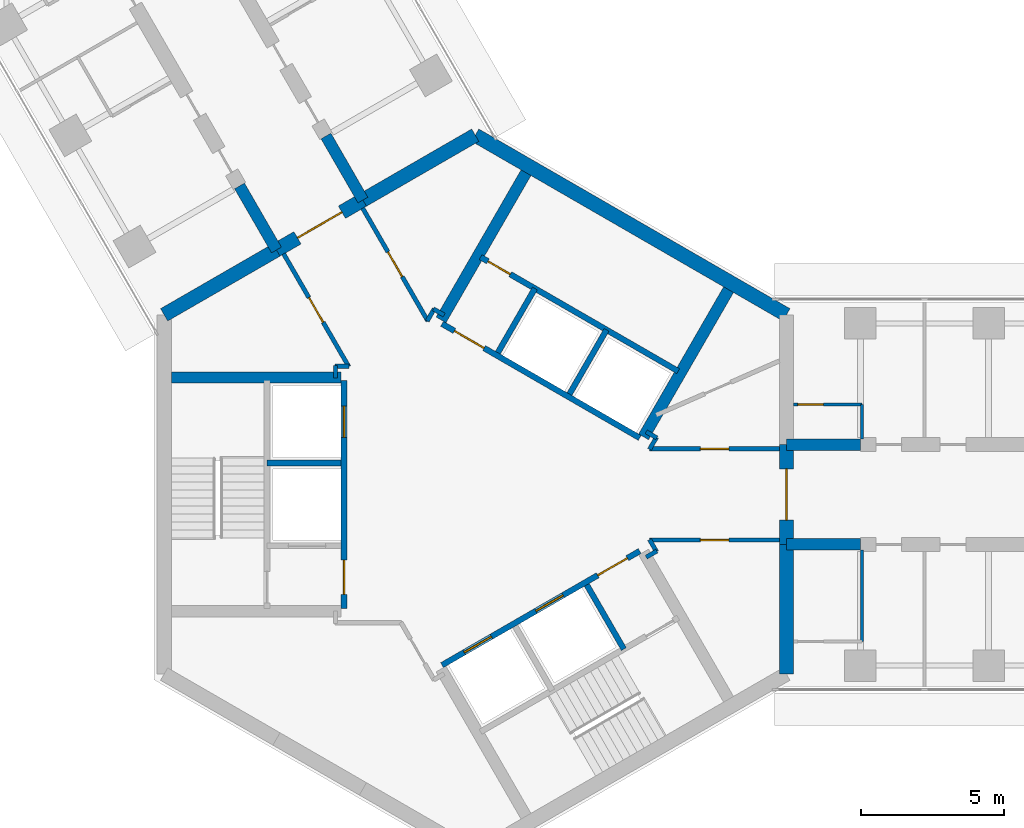
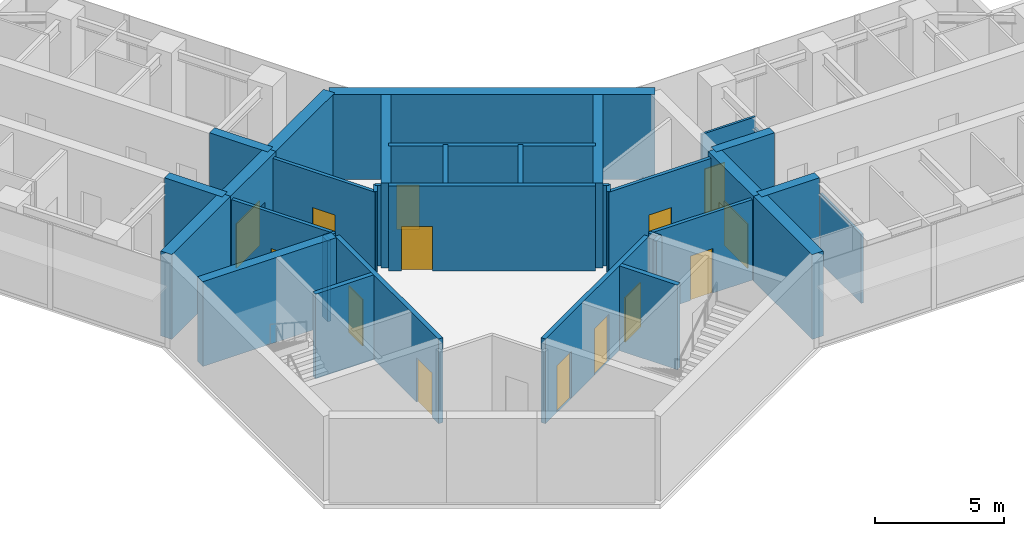
# One storey, part 12 of 18: 36 walls, 14 doors, 14 openings.
"""IFC4 building model written with IfcOpenShell, lengths in metres."""

from ifc_helpers import new_model, si_unit, direction, frame, frame_2d, origin, place, context, subcontext, project, spatial, rectangle, extrude, material, layer, layer_set, type_object, element, fill, save


model = new_model("IFC4")

# Units and contexts
model_context = context("Model", 3, precision=1e-05, world=origin(), true_north=direction((0.0, 1.0)))
body_context = subcontext(model_context, "Body", "Model", "MODEL_VIEW")
ifc_project = project(units=[si_unit("LENGTHUNIT", "METRE"), si_unit("AREAUNIT", "SQUARE_METRE"), si_unit("VOLUMEUNIT", "CUBIC_METRE"), si_unit("PLANEANGLEUNIT", "RADIAN"), si_unit("MASSUNIT", "GRAM", prefix="KILO")], contexts=[model_context])

# Site, building, storey
site_placement = place(None, origin())
site = spatial("IfcSite", under=ifc_project, at=site_placement, CompositionType="ELEMENT")
building_placement = place(site_placement, origin())
building = spatial("IfcBuilding", under=site, at=building_placement, Name="Upepo Twin Towers", CompositionType="ELEMENT")
storey_placement = place(building_placement, frame((0.0, 0.0, 226.5)))
storey = spatial("IfcBuildingStorey", under=building, at=storey_placement, Name="L55", CompositionType="ELEMENT", Elevation=226.5)

# Walls
ifc_material_1 = material(Name="Concrete C60/75", Category="concrete")
ifc_layer_1 = layer(ifc_material_1, 0.39990234375)
ifc_layer_set_1 = layer_set([ifc_layer_1], Name="Concrete C60/75")
wall_type_1 = type_object("IfcWallType", Name="Buttress wall 400 RC", PredefinedType="SHEAR", material=ifc_layer_set_1)
for number, where, z_axis, x_axis, name in (
    (1, (10.908447265625, 1.75, 0.0), (0.0, 0.0, 1.0), (1.0, 0.0, 0.0), "T1 wing A buttress wall L"),
    (2, (10.908447265625, -1.75, 0.0), (0.0, 0.0, 1.0), (1.0, 0.0, 0.0), "T1 wing A buttress wall R"),
):
    element("IfcWall", number, at=place(storey_placement, frame(where, z_axis=z_axis, x_axis=x_axis)), inside=storey, type_object=wall_type_1, Name=name, PredefinedType="SHEAR", context=body_context, shape_type="SweptSolid", body=[
        extrude(rectangle(XDim=2.591552734375, YDim=0.39990234375, at=frame_2d((1.2958984375, 0.0))), origin(), (0.0, 0.0, 1.0), 4.0),
    ])
for number, where, z_axis, x_axis, name in (
    (3, (-6.9697265625, 8.57177734375, 0.0), (0.0, 0.0, 1.0), (-0.499988811324, 0.866031863473, 0.0), "T1 wing B buttress wall L"),
    (4, (-3.938720703125, 10.32177734375, 0.0), (0.0, 0.0, 1.0), (-0.499918158782, 0.866072649678, 0.0), "T1 wing B buttress wall R"),
):
    element("IfcWall", number, at=place(storey_placement, frame(where, z_axis=z_axis, x_axis=x_axis)), inside=storey, type_object=wall_type_1, Name=name, PredefinedType="SHEAR", context=body_context, shape_type="SweptSolid", body=[
        extrude(rectangle(XDim=2.591796875, YDim=0.39990234375, at=frame_2d((1.2958984375, 0.0))), origin(), (0.0, 0.0, 1.0), 4.0),
    ])
ifc_material_2 = material(Name="Concrete C60/75", Category="concrete")
ifc_layer_2 = layer(ifc_material_2, 0.5)
ifc_layer_set_2 = layer_set([ifc_layer_2], Name="Concrete C60/75")
wall_type_2 = type_object("IfcWallType", Name="Core wall 500 RC", PredefinedType="SHEAR", material=ifc_layer_set_2)
wall_1_placement = place(storey_placement, frame((10.908447265625, -6.2978515625, 0.0), z_axis=(0.0, 0.0, 1.0), x_axis=(0.0, 1.0, 0.0)))
element("IfcWall", 5, at=wall_1_placement, inside=storey, type_object=wall_type_2, Name="T1 core wall 000 R", PredefinedType="SHEAR", context=body_context, shape_type="SweptSolid", body=[
    extrude(rectangle(XDim=4.5478515625, YDim=0.5, at=frame_2d((2.27392578125, 0.0))), origin(), (0.0, 0.0, 1.0), 4.0),
])

# Wall, opening, door
wall_2_placement = place(storey_placement, frame((10.908447265625, -1.75, 0.0), z_axis=(0.0, 0.0, 1.0), x_axis=(0.0, 1.0, 0.0)))
wall_2 = element("IfcWall", 6, at=wall_2_placement, inside=storey, type_object=wall_type_2, Name="T1 core wall 000", PredefinedType="SHEAR", context=body_context, shape_type="SweptSolid", body=[
    extrude(rectangle(XDim=3.5, YDim=0.5, at=frame_2d((1.75, 0.0))), origin(), (0.0, 0.0, 1.0), 4.0),
])
opening_1_placement = place(wall_2_placement, frame((0.85009765625, 0.0, 0.0)))
opening_1 = element("IfcOpeningElement", 7, at=opening_1_placement, cuts=wall_2, Name="Opening D2", PredefinedType="OPENING", context=body_context, shape_type="SweptSolid", body=[
    extrude(rectangle(XDim=1.800048828125, YDim=2.10009765625, at=frame_2d((0.89990234375, 1.050048828125))), frame((0.0, 0.260009765625, 0.0), z_axis=(0.0, -1.0, 0.0), x_axis=(1.0, 0.0, 0.0)), (0.0, 0.0, 1.0), 0.52001953125),
])
ifc_material_3 = material(Name="Timber doorset", Category="wood")
door_type_1 = type_object("IfcDoorType", Name="Corridor double door 1800 FD60", OperationType="DOUBLE_DOOR_DOUBLE_SWING", PredefinedType="DOOR", material=ifc_material_3)
door_1_placement = place(opening_1_placement, origin())
door_1 = element("IfcDoor", 8, at=door_1_placement, inside=storey, type_object=door_type_1, Name="T1 L55 wing A corridor door", OperationType="DOUBLE_DOOR_DOUBLE_SWING", OverallHeight=2.10009765625, OverallWidth=1.800048828125, PredefinedType="DOOR", context=body_context, shape_type="SweptSolid", body=[
    extrude(rectangle(XDim=1.800048828125, YDim=2.10009765625, at=frame_2d((0.89990234375, 1.050048828125))), frame((0.0, 0.02490234375, 0.0), z_axis=(0.0, -1.0, 0.0), x_axis=(1.0, 0.0, 0.0)), (0.0, 0.0, 1.0), 0.050048828125),
])
fill(opening_1, door_1)

# Walls
wall_3_placement = place(storey_placement, frame((10.908447265625, 6.2978515625, 0.0), z_axis=(0.0, 0.0, 1.0), x_axis=(-0.866021940709, 0.500005998175, 0.0)))
element("IfcWall", 9, at=wall_3_placement, inside=storey, type_object=wall_type_2, Name="T1 core wall 060", PredefinedType="SHEAR", context=body_context, shape_type="SweptSolid", body=[
    extrude(rectangle(XDim=12.595947265625, YDim=0.5, at=frame_2d((6.2978515625, 0.0))), origin(), (0.0, 0.0, 1.0), 4.0),
])
wall_4_placement = place(storey_placement, frame((0.0, 12.595947265625, 0.0), z_axis=(0.0, 0.0, 1.0), x_axis=(-0.866011268655, -0.500024481964, 0.0)))
element("IfcWall", 10, at=wall_4_placement, inside=storey, type_object=wall_type_2, Name="T1 core wall 120 R", PredefinedType="SHEAR", context=body_context, shape_type="SweptSolid", body=[
    extrude(rectangle(XDim=4.548095703125, YDim=0.5, at=frame_2d((2.27392578125, 0.0))), origin(), (0.0, 0.0, 1.0), 4.0),
])

# Wall, opening, door
wall_5_placement = place(storey_placement, frame((-3.938720703125, 10.32177734375, 0.0), z_axis=(0.0, 0.0, 1.0), x_axis=(-0.866019471182, -0.500010275428, 0.0)))
wall_5 = element("IfcWall", 11, at=wall_5_placement, inside=storey, type_object=wall_type_2, Name="T1 core wall 120", PredefinedType="SHEAR", context=body_context, shape_type="SweptSolid", body=[
    extrude(rectangle(XDim=3.5, YDim=0.5, at=frame_2d((1.75, 0.0))), origin(), (0.0, 0.0, 1.0), 4.0),
])
opening_2_placement = place(wall_5_placement, frame((0.85009765625, 0.0, 0.0)))
opening_2 = element("IfcOpeningElement", 12, at=opening_2_placement, cuts=wall_5, Name="Opening D2", PredefinedType="OPENING", context=body_context, shape_type="SweptSolid", body=[
    extrude(rectangle(XDim=1.800048828125, YDim=2.10009765625, at=frame_2d((0.89990234375, 1.050048828125))), frame((0.0, 0.260009765625, 0.0), z_axis=(0.0, -1.0, 0.0), x_axis=(1.0, 0.0, 0.0)), (0.0, 0.0, 1.0), 0.52001953125),
])
door_2_placement = place(opening_2_placement, origin())
door_2 = element("IfcDoor", 13, at=door_2_placement, inside=storey, type_object=door_type_1, Name="T1 L55 wing B corridor door", OperationType="DOUBLE_DOOR_DOUBLE_SWING", OverallHeight=2.10009765625, OverallWidth=1.800048828125, PredefinedType="DOOR", context=body_context, shape_type="SweptSolid", body=[
    extrude(rectangle(XDim=1.800048828125, YDim=2.10009765625, at=frame_2d((0.89990234375, 1.050048828125))), frame((0.0, 0.02490234375, 0.0), z_axis=(0.0, -1.0, 0.0), x_axis=(1.0, 0.0, 0.0)), (0.0, 0.0, 1.0), 0.050048828125),
])
fill(opening_2, door_2)

# Wall
wall_6_placement = place(storey_placement, frame((-6.9697265625, 8.57177734375, 0.0), z_axis=(0.0, 0.0, 1.0), x_axis=(-0.866034513004, -0.499984222037, 0.0)))
element("IfcWall", 14, at=wall_6_placement, inside=storey, type_object=wall_type_2, Name="T1 core wall 120 L", PredefinedType="SHEAR", context=body_context, shape_type="SweptSolid", body=[
    extrude(rectangle(XDim=4.548095703125, YDim=0.5, at=frame_2d((2.27392578125, 0.0))), origin(), (0.0, 0.0, 1.0), 4.0),
])

# Wall, opening, door
ifc_material_4 = material(Name="Gypsum board on steel studs", Category="steel")
ifc_layer_3 = layer(ifc_material_4, 0.10009765625)
ifc_layer_set_3 = layer_set([ifc_layer_3], Name="Office partition 100 stud")
wall_type_3 = type_object("IfcWallType", Name="Office partition 100 stud", PredefinedType="PARTITIONING", material=ifc_layer_set_3)
wall_7_placement = place(storey_placement, frame((11.157958984375, 3.14990234375, 0.0), z_axis=(0.0, 0.0, 1.0), x_axis=(1.0, 0.0, 0.0)))
wall_7 = element("IfcWall", 15, at=wall_7_placement, inside=storey, type_object=wall_type_3, Name="T1 WC bay partition AL at 11.16", PredefinedType="PARTITIONING", context=body_context, shape_type="SweptSolid", body=[
    extrude(rectangle(XDim=2.400146484375, YDim=0.10009765625, at=frame_2d((1.2001953125, 0.0))), origin(), (0.0, 0.0, 1.0), 3.800048828125),
])
opening_3_placement = place(wall_7_placement, frame((0.14990234375, 0.0, 0.0)))
opening_3 = element("IfcOpeningElement", 16, at=opening_3_placement, cuts=wall_7, Name="Opening D14", PredefinedType="OPENING", context=body_context, shape_type="SweptSolid", body=[
    extrude(rectangle(XDim=0.89990234375, YDim=2.10009765625, at=frame_2d((0.449951171875, 1.050048828125))), frame((0.0, 0.06005859375, 0.0), z_axis=(0.0, -1.0, 0.0), x_axis=(1.0, 0.0, 0.0)), (0.0, 0.0, 1.0), 0.1201171875),
])
ifc_material_5 = material(Name="Timber doorset", Category="wood")
door_type_2 = type_object("IfcDoorType", Name="Office door 900 FD30", OperationType="SINGLE_SWING_LEFT", PredefinedType="DOOR", material=ifc_material_5)
door_3_placement = place(opening_3_placement, origin())
door_3 = element("IfcDoor", 17, at=door_3_placement, inside=storey, type_object=door_type_2, Name="T1 L55 WC bay inner room door", OperationType="SINGLE_SWING_LEFT", OverallHeight=2.10009765625, OverallWidth=0.89990234375, PredefinedType="DOOR", context=body_context, shape_type="SweptSolid", body=[
    extrude(rectangle(XDim=0.89990234375, YDim=2.10009765625, at=frame_2d((0.449951171875, 1.050048828125))), frame((0.0, 0.02490234375, 0.0), z_axis=(0.0, -1.0, 0.0), x_axis=(1.0, 0.0, 0.0)), (0.0, 0.0, 1.0), 0.050048828125),
])
fill(opening_3, door_3)

# Walls
wall_8_placement = place(storey_placement, frame((13.55810546875, 1.949951171875, 0.0), z_axis=(0.0, 0.0, 1.0), x_axis=(0.0, 1.0, 0.0)))
element("IfcWall", 18, at=wall_8_placement, inside=storey, type_object=wall_type_3, Name="T1 WC bay partition AL end at 13.56", PredefinedType="PARTITIONING", context=body_context, shape_type="SweptSolid", body=[
    extrude(rectangle(XDim=1.199951171875, YDim=0.10009765625, at=frame_2d((0.60009765625, 0.0))), origin(), (0.0, 0.0, 1.0), 3.266845703125),
])
wall_9_placement = place(storey_placement, frame((13.55810546875, -1.949951171875, 0.0), z_axis=(0.0, 0.0, 1.0), x_axis=(0.0, -1.0, 0.0)))
element("IfcWall", 19, at=wall_9_placement, inside=storey, type_object=wall_type_3, Name="T1 WC bay partition AR end at 13.56", PredefinedType="PARTITIONING", context=body_context, shape_type="SweptSolid", body=[
    extrude(rectangle(XDim=3.199951171875, YDim=0.10009765625, at=frame_2d((1.60009765625, 0.0))), origin(), (0.0, 0.0, 1.0), 3.266845703125),
])

# Wall, opening, door
ifc_material_6 = material(Name="Concrete C40/50", Category="concrete")
ifc_layer_4 = layer(ifc_material_6, 0.199951171875)
ifc_layer_set_4 = layer_set([ifc_layer_4], Name="Concrete C40/50")
wall_type_4 = type_object("IfcWallType", Name="Shaft wall 200 RC", PredefinedType="SHEAR", material=ifc_layer_set_4)
wall_10_placement = place(storey_placement, frame((5.76416015625, 1.983642578125, 0.0), z_axis=(0.0, 0.0, 1.0), x_axis=(-0.866026010844, 0.49999894854, 0.0)))
wall_10 = element("IfcWall", 20, at=wall_10_placement, inside=storey, type_object=wall_type_4, Name="T1 core W60 front wall", PredefinedType="SHEAR", context=body_context, shape_type="SweptSolid", body=[
    extrude(rectangle(XDim=8.0, YDim=0.199951171875, at=frame_2d((4.0, 0.0))), origin(), (0.0, 0.0, 1.0), 4.0),
])
opening_4_placement = place(wall_10_placement, frame((6.300048828125, 0.0, 0.0)))
opening_4 = element("IfcOpeningElement", 21, at=opening_4_placement, cuts=wall_10, Name="Opening D4", PredefinedType="OPENING", context=body_context, shape_type="SweptSolid", body=[
    extrude(rectangle(XDim=1.199951171875, YDim=2.10009765625, at=frame_2d((0.60009765625, 1.050048828125))), frame((0.0, 0.10986328125, 0.0), z_axis=(0.0, -1.0, 0.0), x_axis=(1.0, 0.0, 0.0)), (0.0, 0.0, 1.0), 0.219970703125),
])
ifc_material_7 = material(Name="Timber doorset", Category="wood")
door_type_3 = type_object("IfcDoorType", Name="Lobby door 1200 FD60", OperationType="SINGLE_SWING_LEFT", PredefinedType="DOOR", material=ifc_material_7)
door_4_placement = place(opening_4_placement, origin())
door_4 = element("IfcDoor", 22, at=door_4_placement, inside=storey, type_object=door_type_3, Name="T1 L55 W60 lobby door", OperationType="SINGLE_SWING_RIGHT", OverallHeight=2.10009765625, OverallWidth=1.199951171875, PredefinedType="DOOR", context=body_context, shape_type="SweptSolid", body=[
    extrude(rectangle(XDim=1.199951171875, YDim=2.10009765625, at=frame_2d((0.60009765625, 1.050048828125))), frame((0.0, 0.02490234375, 0.0), z_axis=(0.0, -1.0, 0.0), x_axis=(1.0, 0.0, 0.0)), (0.0, 0.0, 1.0), 0.050048828125),
])
fill(opening_4, door_4)

# Walls
for number, where, z_axis, x_axis, name in (
    (23, (3.302734375, 3.520263671875, 0.0), (0.0, 0.0, 1.0), (0.499936506574, 0.866062058628, 0.0), "T1 core W60 shaft divider"),
    (24, (0.791259765625, 4.97021484375, 0.0), (0.0, 0.0, 1.0), (0.499936506574, 0.866062058628, 0.0), "T1 core W60 lobby wall"),
):
    element("IfcWall", number, at=place(storey_placement, frame(where, z_axis=z_axis, x_axis=x_axis)), inside=storey, type_object=wall_type_4, Name=name, PredefinedType="SHEAR", context=body_context, shape_type="SweptSolid", body=[
        extrude(rectangle(XDim=2.599853515625, YDim=0.199951171875, at=frame_2d((1.2998046875, 0.0))), origin(), (0.0, 0.0, 1.0), 4.0),
    ])

# Wall, opening, door
wall_11_placement = place(storey_placement, frame((7.114013671875, 4.322021484375, 0.0), z_axis=(0.0, 0.0, 1.0), x_axis=(-0.866026010844, 0.49999894854, 0.0)))
wall_11 = element("IfcWall", 25, at=wall_11_placement, inside=storey, type_object=wall_type_4, Name="T1 core W60 stair wall", PredefinedType="SHEAR", context=body_context, shape_type="SweptSolid", body=[
    extrude(rectangle(XDim=8.0, YDim=0.199951171875, at=frame_2d((4.0, 0.0))), origin(), (0.0, 0.0, 1.0), 4.0),
])
opening_5_placement = place(wall_11_placement, frame((6.800048828125, 0.0, 0.0)))
opening_5 = element("IfcOpeningElement", 26, at=opening_5_placement, cuts=wall_11, Name="Opening D9", PredefinedType="OPENING", context=body_context, shape_type="SweptSolid", body=[
    extrude(rectangle(XDim=0.89990234375, YDim=2.10009765625, at=frame_2d((0.449951171875, 1.050048828125))), frame((0.0, 0.10986328125, 0.0), z_axis=(0.0, -1.0, 0.0), x_axis=(1.0, 0.0, 0.0)), (0.0, 0.0, 1.0), 0.219970703125),
])
ifc_material_8 = material(Name="Timber doorset", Category="wood")
door_type_4 = type_object("IfcDoorType", Name="Riser door 900 FD60", OperationType="SINGLE_SWING_LEFT", PredefinedType="DOOR", material=ifc_material_8)
door_5_placement = place(opening_5_placement, origin())
door_5 = element("IfcDoor", 27, at=door_5_placement, inside=storey, type_object=door_type_4, Name="T1 L55 riser door", OperationType="SINGLE_SWING_RIGHT", OverallHeight=2.10009765625, OverallWidth=0.89990234375, PredefinedType="DOOR", context=body_context, shape_type="SweptSolid", body=[
    extrude(rectangle(XDim=0.89990234375, YDim=2.10009765625, at=frame_2d((0.449951171875, 1.050048828125))), frame((0.0, 0.02490234375, 0.0), z_axis=(0.0, -1.0, 0.0), x_axis=(1.0, 0.0, 0.0)), (0.0, 0.0, 1.0), 0.050048828125),
])
fill(opening_5, door_5)

# Wall, openings, doors
wall_12_placement = place(storey_placement, frame((-4.60009765625, 4.0, 0.0), z_axis=(0.0, 0.0, 1.0), x_axis=(0.0, -1.0, 0.0)))
wall_12 = element("IfcWall", 28, at=wall_12_placement, inside=storey, type_object=wall_type_4, Name="T1 core W180 front wall", PredefinedType="SHEAR", context=body_context, shape_type="SweptSolid", body=[
    extrude(rectangle(XDim=8.0, YDim=0.199951171875, at=frame_2d((4.0, 0.0))), origin(), (0.0, 0.0, 1.0), 4.0),
])
opening_6_placement = place(wall_12_placement, frame((6.300048828125, 0.0, 0.0)))
opening_6 = element("IfcOpeningElement", 29, at=opening_6_placement, cuts=wall_12, Name="Opening D4", PredefinedType="OPENING", context=body_context, shape_type="SweptSolid", body=[
    extrude(rectangle(XDim=1.199951171875, YDim=2.10009765625, at=frame_2d((0.60009765625, 1.050048828125))), frame((0.0, 0.10986328125, 0.0), z_axis=(0.0, -1.0, 0.0), x_axis=(1.0, 0.0, 0.0)), (0.0, 0.0, 1.0), 0.219970703125),
])
opening_7_placement = place(wall_12_placement, frame((0.89990234375, 0.0, 0.0)))
opening_7 = element("IfcOpeningElement", 30, at=opening_7_placement, cuts=wall_12, Name="Opening LD1", PredefinedType="OPENING", context=body_context, shape_type="SweptSolid", body=[
    extrude(rectangle(XDim=1.10009765625, YDim=2.199951171875, at=frame_2d((0.550048828125, 1.10009765625))), frame((0.0, 0.10986328125, 0.0), z_axis=(0.0, -1.0, 0.0), x_axis=(1.0, 0.0, 0.0)), (0.0, 0.0, 1.0), 0.219970703125),
])
ifc_material_9 = material(Name="Steel doorset", Category="steel")
door_type_5 = type_object("IfcDoorType", Name="Lift landing door 1100", OperationType="DOUBLE_DOOR_SLIDING", PredefinedType="DOOR", material=ifc_material_9)
door_6_placement = place(opening_7_placement, origin())
door_6 = element("IfcDoor", 31, at=door_6_placement, inside=storey, type_object=door_type_5, Name="T1 L55 lift SV1 landing door", OperationType="DOUBLE_DOOR_SLIDING", OverallHeight=2.199951171875, OverallWidth=1.10009765625, PredefinedType="DOOR", context=body_context, shape_type="SweptSolid", body=[
    extrude(rectangle(XDim=1.10009765625, YDim=2.199951171875, at=frame_2d((0.550048828125, 1.10009765625))), frame((0.0, 0.02490234375, 0.0), z_axis=(0.0, -1.0, 0.0), x_axis=(1.0, 0.0, 0.0)), (0.0, 0.0, 1.0), 0.050048828125),
])
fill(opening_7, door_6)
door_7_placement = place(opening_6_placement, origin())
door_7 = element("IfcDoor", 32, at=door_7_placement, inside=storey, type_object=door_type_3, Name="T1 L55 W180 lobby door", OperationType="SINGLE_SWING_RIGHT", OverallHeight=2.10009765625, OverallWidth=1.199951171875, PredefinedType="DOOR", context=body_context, shape_type="SweptSolid", body=[
    extrude(rectangle(XDim=1.199951171875, YDim=2.10009765625, at=frame_2d((0.60009765625, 1.050048828125))), frame((0.0, 0.02490234375, 0.0), z_axis=(0.0, -1.0, 0.0), x_axis=(1.0, 0.0, 0.0)), (0.0, 0.0, 1.0), 0.050048828125),
])
fill(opening_6, door_7)

# Wall
wall_13_placement = place(storey_placement, frame((-4.699951171875, 1.10009765625, 0.0), z_axis=(0.0, 0.0, 1.0), x_axis=(-1.0, 0.0, 0.0)))
element("IfcWall", 33, at=wall_13_placement, inside=storey, type_object=wall_type_4, Name="T1 core W180 shaft divider", PredefinedType="SHEAR", context=body_context, shape_type="SweptSolid", body=[
    extrude(rectangle(XDim=2.60009765625, YDim=0.199951171875, at=frame_2d((1.300048828125, 0.0))), origin(), (0.0, 0.0, 1.0), 4.0),
])

# Wall, openings, doors
wall_14_placement = place(storey_placement, frame((-1.1640625, -5.983642578125, 0.0), z_axis=(0.0, 0.0, 1.0), x_axis=(0.866026010844, 0.49999894854, 0.0)))
wall_14 = element("IfcWall", 34, at=wall_14_placement, inside=storey, type_object=wall_type_4, Name="T1 core W300 front wall", PredefinedType="SHEAR", context=body_context, shape_type="SweptSolid", body=[
    extrude(rectangle(XDim=8.0, YDim=0.199951171875, at=frame_2d((4.0, 0.0))), origin(), (0.0, 0.0, 1.0), 4.0),
])
opening_8_placement = place(wall_14_placement, frame((6.300048828125, 0.0, 0.0)))
opening_8 = element("IfcOpeningElement", 35, at=opening_8_placement, cuts=wall_14, Name="Opening D4", PredefinedType="OPENING", context=body_context, shape_type="SweptSolid", body=[
    extrude(rectangle(XDim=1.199951171875, YDim=2.10009765625, at=frame_2d((0.60009765625, 1.050048828125))), frame((0.0, 0.10986328125, 0.0), z_axis=(0.0, -1.0, 0.0), x_axis=(1.0, 0.0, 0.0)), (0.0, 0.0, 1.0), 0.219970703125),
])
opening_9_placement = place(wall_14_placement, frame((0.89990234375, 0.0, 0.0)))
opening_9 = element("IfcOpeningElement", 36, at=opening_9_placement, cuts=wall_14, Name="Opening LD1", PredefinedType="OPENING", context=body_context, shape_type="SweptSolid", body=[
    extrude(rectangle(XDim=1.10009765625, YDim=2.199951171875, at=frame_2d((0.550048828125, 1.10009765625))), frame((0.0, 0.10986328125, 0.0), z_axis=(0.0, -1.0, 0.0), x_axis=(1.0, 0.0, 0.0)), (0.0, 0.0, 1.0), 0.219970703125),
])
opening_10_placement = place(wall_14_placement, frame((3.800048828125, 0.0, 0.0)))
opening_10 = element("IfcOpeningElement", 37, at=opening_10_placement, cuts=wall_14, Name="Opening LD1", PredefinedType="OPENING", context=body_context, shape_type="SweptSolid", body=[
    extrude(rectangle(XDim=1.10009765625, YDim=2.199951171875, at=frame_2d((0.550048828125, 1.10009765625))), frame((0.0, 0.10986328125, 0.0), z_axis=(0.0, -1.0, 0.0), x_axis=(1.0, 0.0, 0.0)), (0.0, 0.0, 1.0), 0.219970703125),
])
door_8_placement = place(opening_9_placement, origin())
door_8 = element("IfcDoor", 38, at=door_8_placement, inside=storey, type_object=door_type_5, Name="T1 L55 lift UL1 landing door", OperationType="DOUBLE_DOOR_SLIDING", OverallHeight=2.199951171875, OverallWidth=1.10009765625, PredefinedType="DOOR", context=body_context, shape_type="SweptSolid", body=[
    extrude(rectangle(XDim=1.10009765625, YDim=2.199951171875, at=frame_2d((0.550048828125, 1.10009765625))), frame((0.0, 0.02490234375, 0.0), z_axis=(0.0, -1.0, 0.0), x_axis=(1.0, 0.0, 0.0)), (0.0, 0.0, 1.0), 0.050048828125),
])
fill(opening_9, door_8)
door_9_placement = place(opening_10_placement, origin())
door_9 = element("IfcDoor", 39, at=door_9_placement, inside=storey, type_object=door_type_5, Name="T1 L55 lift UL2 landing door", OperationType="DOUBLE_DOOR_SLIDING", OverallHeight=2.199951171875, OverallWidth=1.10009765625, PredefinedType="DOOR", context=body_context, shape_type="SweptSolid", body=[
    extrude(rectangle(XDim=1.10009765625, YDim=2.199951171875, at=frame_2d((0.550048828125, 1.10009765625))), frame((0.0, 0.02490234375, 0.0), z_axis=(0.0, -1.0, 0.0), x_axis=(1.0, 0.0, 0.0)), (0.0, 0.0, 1.0), 0.050048828125),
])
fill(opening_10, door_9)
door_10_placement = place(opening_8_placement, origin())
door_10 = element("IfcDoor", 40, at=door_10_placement, inside=storey, type_object=door_type_3, Name="T1 L55 W300 lobby door", OperationType="SINGLE_SWING_RIGHT", OverallHeight=2.10009765625, OverallWidth=1.199951171875, PredefinedType="DOOR", context=body_context, shape_type="SweptSolid", body=[
    extrude(rectangle(XDim=1.199951171875, YDim=2.10009765625, at=frame_2d((0.60009765625, 1.050048828125))), frame((0.0, 0.02490234375, 0.0), z_axis=(0.0, -1.0, 0.0), x_axis=(1.0, 0.0, 0.0)), (0.0, 0.0, 1.0), 0.050048828125),
])
fill(opening_8, door_10)

# Walls
wall_15_placement = place(storey_placement, frame((3.908935546875, -3.17041015625, 0.0), z_axis=(0.0, 0.0, 1.0), x_axis=(0.49997716683, -0.86603858612, 0.0)))
element("IfcWall", 41, at=wall_15_placement, inside=storey, type_object=wall_type_4, Name="T1 core W300 lobby wall", PredefinedType="SHEAR", context=body_context, shape_type="SweptSolid", body=[
    extrude(rectangle(XDim=2.599609375, YDim=0.199951171875, at=frame_2d((1.2998046875, 0.0))), origin(), (0.0, 0.0, 1.0), 4.0),
])
ifc_material_10 = material(Name="Concrete C40/50", Category="concrete")
ifc_layer_5 = layer(ifc_material_10, 0.39990234375)
ifc_layer_set_5 = layer_set([ifc_layer_5], Name="Concrete C40/50")
wall_type_5 = type_object("IfcWallType", Name="Shaft wall 400 RC", PredefinedType="SHEAR", material=ifc_layer_set_5)
wall_16_placement = place(storey_placement, frame((-1.20068359375, 6.120361328125, 0.0), z_axis=(0.0, 0.0, 1.0), x_axis=(0.500021575205, 0.866012946976, 0.0)))
element("IfcWall", 42, at=wall_16_placement, inside=storey, type_object=wall_type_5, Name="T1 core W60 side wall N", PredefinedType="SHEAR", context=body_context, shape_type="SweptSolid", body=[
    extrude(rectangle(XDim=5.958251953125, YDim=0.39990234375, at=frame_2d((2.97900390625, 0.0))), origin(), (0.0, 0.0, 1.0), 4.0),
])
for number, where, z_axis, x_axis, name in (
    (43, (5.900634765625, 2.020263671875, 0.0), (0.0, 0.0, 1.0), (0.500003832394, 0.86602319114, 0.0), "T1 core W60 side wall S"),
    (44, (-4.699951171875, 4.10009765625, 0.0), (0.0, 0.0, 1.0), (-1.0, 0.0, 0.0), "T1 core W180 side wall S"),
):
    element("IfcWall", number, at=place(storey_placement, frame(where, z_axis=z_axis, x_axis=x_axis)), inside=storey, type_object=wall_type_5, Name=name, PredefinedType="SHEAR", context=body_context, shape_type="SweptSolid", body=[
        extrude(rectangle(XDim=5.95849609375, YDim=0.39990234375, at=frame_2d((2.979248046875, 0.0))), origin(), (0.0, 0.0, 1.0), 4.0),
    ])
ifc_material_11 = material(Name="Gypsum board on steel studs", Category="steel")
ifc_layer_6 = layer(ifc_material_11, 0.14990234375)
ifc_layer_set_6 = layer_set([ifc_layer_6], Name="Teaching partition 150 acoustic")
wall_type_6 = type_object("IfcWallType", Name="Teaching partition 150 acoustic", PredefinedType="PARTITIONING", material=ifc_layer_set_6)
for number, where, z_axis, x_axis, name in (
    (45, (6.364501953125, -1.9833984375, 0.0), (0.0, 0.0, 1.0), (-0.865892400268, -0.500230298122, 0.0), "T1 core room partition 1"),
    (46, (-4.89990234375, 4.090087890625, 0.0), (0.0, 0.0, 1.0), (0.0, 1.0, 0.0), "T1 core room partition 6"),
):
    element("IfcWall", number, at=place(storey_placement, frame(where, z_axis=z_axis, x_axis=x_axis)), inside=storey, type_object=wall_type_6, Name=name, PredefinedType="PARTITIONING", context=body_context, shape_type="SweptSolid", body=[
        extrude(rectangle(XDim=0.429931640625, YDim=0.14990234375, at=frame_2d((0.21484375, 0.0))), origin(), (0.0, 0.0, 1.0), 3.800048828125),
    ])
wall_17_placement = place(storey_placement, frame((-4.919921875, 4.5, 0.0), z_axis=(0.0, 0.0, 1.0), x_axis=(1.0, 0.0, 0.0)))
element("IfcWall", 47, at=wall_17_placement, inside=storey, type_object=wall_type_6, Name="T1 core room partition 7", PredefinedType="PARTITIONING", context=body_context, shape_type="SweptSolid", body=[
    extrude(rectangle(XDim=0.494384765625, YDim=0.14990234375, at=frame_2d((0.2470703125, 0.0))), origin(), (0.0, 0.0, 1.0), 3.800048828125),
])

# Wall, opening, door
wall_18_placement = place(storey_placement, frame((-4.435546875, 4.482666015625, 0.0), z_axis=(0.0, 0.0, 1.0), x_axis=(-0.500001558674, 0.866024503882, 0.0)))
wall_18 = element("IfcWall", 48, at=wall_18_placement, inside=storey, type_object=wall_type_6, Name="T1 core room partition 8", PredefinedType="PARTITIONING", context=body_context, shape_type="SweptSolid", body=[
    extrude(rectangle(XDim=4.568359375, YDim=0.14990234375, at=frame_2d((2.2841796875, 0.0))), origin(), (0.0, 0.0, 1.0), 3.800048828125),
])
opening_11_placement = place(wall_18_placement, frame((1.794189453125, 0.0, 0.0)))
opening_11 = element("IfcOpeningElement", 49, at=opening_11_placement, cuts=wall_18, Name="Opening D1", PredefinedType="OPENING", context=body_context, shape_type="SweptSolid", body=[
    extrude(rectangle(XDim=1.0, YDim=2.10009765625, at=frame_2d((0.5, 1.050048828125))), frame((0.0, 0.0849609375, 0.0), z_axis=(0.0, -1.0, 0.0), x_axis=(1.0, 0.0, 0.0)), (0.0, 0.0, 1.0), 0.169921875),
])
ifc_material_12 = material(Name="Timber doorset", Category="wood")
door_type_6 = type_object("IfcDoorType", Name="Room door 1000 FD30", OperationType="SINGLE_SWING_LEFT", PredefinedType="DOOR", material=ifc_material_12)
door_11_placement = place(opening_11_placement, origin())
door_11 = element("IfcDoor", 50, at=door_11_placement, inside=storey, type_object=door_type_6, Name="T1 L55 core room door K6", OperationType="SINGLE_SWING_RIGHT", OverallHeight=2.10009765625, OverallWidth=1.0, PredefinedType="DOOR", context=body_context, shape_type="SweptSolid", body=[
    extrude(rectangle(XDim=1.0, YDim=2.10009765625, at=frame_2d((0.5, 1.050048828125))), frame((0.0, 0.02490234375, 0.0), z_axis=(0.0, -1.0, 0.0), x_axis=(1.0, 0.0, 0.0)), (0.0, 0.0, 1.0), 0.050048828125),
])
fill(opening_11, door_11)

wall_19_placement = place(storey_placement, frame((-3.948486328125, 10.0390625, 0.0), z_axis=(0.0, 0.0, 1.0), x_axis=(0.500001558674, -0.866024503882, 0.0)))
wall_19 = element("IfcWall", 51, at=wall_19_placement, inside=storey, type_object=wall_type_6, Name="T1 core room partition 9", PredefinedType="PARTITIONING", context=body_context, shape_type="SweptSolid", body=[
    extrude(rectangle(XDim=4.568359375, YDim=0.14990234375, at=frame_2d((2.2841796875, 0.0))), origin(), (0.0, 0.0, 1.0), 3.800048828125),
])
opening_12_placement = place(wall_19_placement, frame((1.774169921875, 0.0, 0.0)))
opening_12 = element("IfcOpeningElement", 52, at=opening_12_placement, cuts=wall_19, Name="Opening D1", PredefinedType="OPENING", context=body_context, shape_type="SweptSolid", body=[
    extrude(rectangle(XDim=1.0, YDim=2.10009765625, at=frame_2d((0.5, 1.050048828125))), frame((0.0, 0.0849609375, 0.0), z_axis=(0.0, -1.0, 0.0), x_axis=(1.0, 0.0, 0.0)), (0.0, 0.0, 1.0), 0.169921875),
])
door_12_placement = place(opening_12_placement, origin())
door_12 = element("IfcDoor", 53, at=door_12_placement, inside=storey, type_object=door_type_6, Name="T1 L55 core room door K5", OperationType="SINGLE_SWING_LEFT", OverallHeight=2.10009765625, OverallWidth=1.0, PredefinedType="DOOR", context=body_context, shape_type="SweptSolid", body=[
    extrude(rectangle(XDim=1.0, YDim=2.10009765625, at=frame_2d((0.5, 1.050048828125))), frame((0.0, 0.02490234375, 0.0), z_axis=(0.0, -1.0, 0.0), x_axis=(1.0, 0.0, 0.0)), (0.0, 0.0, 1.0), 0.050048828125),
])
fill(opening_12, door_12)

# Walls
wall_20_placement = place(storey_placement, frame((-1.684326171875, 6.082763671875, 0.0), z_axis=(0.0, 0.0, 1.0), x_axis=(0.50033519877, 0.865831790172, 0.0)))
element("IfcWall", 54, at=wall_20_placement, inside=storey, type_object=wall_type_6, Name="T1 core room partition 10", PredefinedType="PARTITIONING", context=body_context, shape_type="SweptSolid", body=[
    extrude(rectangle(XDim=0.494384765625, YDim=0.14990234375, at=frame_2d((0.2470703125, 0.0))), origin(), (0.0, 0.0, 1.0), 3.800048828125),
])
for number, where, z_axis, x_axis, name in (
    (55, (-1.46435546875, 6.50341796875, 0.0), (0.0, 0.0, 1.0), (0.866138304741, -0.499804398801, 0.0), "T1 core room partition 11"),
    (56, (5.9921875, 2.198486328125, 0.0), (0.0, 0.0, 1.0), (0.865892400268, -0.500230298122, 0.0), "T1 core room partition 12"),
):
    element("IfcWall", number, at=place(storey_placement, frame(where, z_axis=z_axis, x_axis=x_axis)), inside=storey, type_object=wall_type_6, Name=name, PredefinedType="PARTITIONING", context=body_context, shape_type="SweptSolid", body=[
        extrude(rectangle(XDim=0.429931640625, YDim=0.14990234375, at=frame_2d((0.21484375, 0.0))), origin(), (0.0, 0.0, 1.0), 3.800048828125),
    ])
wall_21_placement = place(storey_placement, frame((6.357177734375, 2.0107421875, 0.0), z_axis=(0.0, 0.0, 1.0), x_axis=(-0.50033519877, -0.865831790172, 0.0)))
element("IfcWall", 57, at=wall_21_placement, inside=storey, type_object=wall_type_6, Name="T1 core room partition 13", PredefinedType="PARTITIONING", context=body_context, shape_type="SweptSolid", body=[
    extrude(rectangle(XDim=0.494384765625, YDim=0.14990234375, at=frame_2d((0.2470703125, 0.0))), origin(), (0.0, 0.0, 1.0), 3.800048828125),
])

# Wall, opening, door
wall_22_placement = place(storey_placement, frame((6.099853515625, 1.60009765625, 0.0), z_axis=(0.0, 0.0, 1.0), x_axis=(1.0, 0.0, 0.0)))
wall_22 = element("IfcWall", 58, at=wall_22_placement, inside=storey, type_object=wall_type_6, Name="T1 core room partition 14", PredefinedType="PARTITIONING", context=body_context, shape_type="SweptSolid", body=[
    extrude(rectangle(XDim=4.568359375, YDim=0.14990234375, at=frame_2d((2.2841796875, 0.0))), origin(), (0.0, 0.0, 1.0), 3.800048828125),
])
opening_13_placement = place(wall_22_placement, frame((1.79443359375, 0.0, 0.0)))
opening_13 = element("IfcOpeningElement", 59, at=opening_13_placement, cuts=wall_22, Name="Opening D1", PredefinedType="OPENING", context=body_context, shape_type="SweptSolid", body=[
    extrude(rectangle(XDim=1.0, YDim=2.10009765625, at=frame_2d((0.5, 1.050048828125))), frame((0.0, 0.0849609375, 0.0), z_axis=(0.0, -1.0, 0.0), x_axis=(1.0, 0.0, 0.0)), (0.0, 0.0, 1.0), 0.169921875),
])
door_13_placement = place(opening_13_placement, origin())
door_13 = element("IfcDoor", 60, at=door_13_placement, inside=storey, type_object=door_type_6, Name="T1 L55 core room door K3", OperationType="SINGLE_SWING_RIGHT", OverallHeight=2.10009765625, OverallWidth=1.0, PredefinedType="DOOR", context=body_context, shape_type="SweptSolid", body=[
    extrude(rectangle(XDim=1.0, YDim=2.10009765625, at=frame_2d((0.5, 1.050048828125))), frame((0.0, 0.02490234375, 0.0), z_axis=(0.0, -1.0, 0.0), x_axis=(1.0, 0.0, 0.0)), (0.0, 0.0, 1.0), 0.050048828125),
])
fill(opening_13, door_13)

wall_23_placement = place(storey_placement, frame((10.668212890625, -1.60009765625, 0.0), z_axis=(0.0, 0.0, 1.0), x_axis=(-1.0, 0.0, 0.0)))
wall_23 = element("IfcWall", 61, at=wall_23_placement, inside=storey, type_object=wall_type_6, Name="T1 core room partition 15", PredefinedType="PARTITIONING", context=body_context, shape_type="SweptSolid", body=[
    extrude(rectangle(XDim=4.568359375, YDim=0.14990234375, at=frame_2d((2.2841796875, 0.0))), origin(), (0.0, 0.0, 1.0), 3.800048828125),
])
opening_14_placement = place(wall_23_placement, frame((1.774169921875, 0.0, 0.0)))
opening_14 = element("IfcOpeningElement", 62, at=opening_14_placement, cuts=wall_23, Name="Opening D1", PredefinedType="OPENING", context=body_context, shape_type="SweptSolid", body=[
    extrude(rectangle(XDim=1.0, YDim=2.10009765625, at=frame_2d((0.5, 1.050048828125))), frame((0.0, 0.0849609375, 0.0), z_axis=(0.0, -1.0, 0.0), x_axis=(1.0, 0.0, 0.0)), (0.0, 0.0, 1.0), 0.169921875),
])
door_14_placement = place(opening_14_placement, origin())
door_14 = element("IfcDoor", 63, at=door_14_placement, inside=storey, type_object=door_type_6, Name="T1 L55 core room door K2", OperationType="SINGLE_SWING_LEFT", OverallHeight=2.10009765625, OverallWidth=1.0, PredefinedType="DOOR", context=body_context, shape_type="SweptSolid", body=[
    extrude(rectangle(XDim=1.0, YDim=2.10009765625, at=frame_2d((0.5, 1.050048828125))), frame((0.0, 0.02490234375, 0.0), z_axis=(0.0, -1.0, 0.0), x_axis=(1.0, 0.0, 0.0)), (0.0, 0.0, 1.0), 0.050048828125),
])
fill(opening_14, door_14)

# Wall
wall_24_placement = place(storey_placement, frame((6.10986328125, -1.582763671875, 0.0), z_axis=(0.0, 0.0, 1.0), x_axis=(0.50033519877, -0.865831790172, 0.0)))
element("IfcWall", 64, at=wall_24_placement, inside=storey, type_object=wall_type_6, Name="T1 core room partition 16", PredefinedType="PARTITIONING", context=body_context, shape_type="SweptSolid", body=[
    extrude(rectangle(XDim=0.494384765625, YDim=0.14990234375, at=frame_2d((0.2470703125, 0.0))), origin(), (0.0, 0.0, 1.0), 3.800048828125),
])

save(model, "model.ifc")
